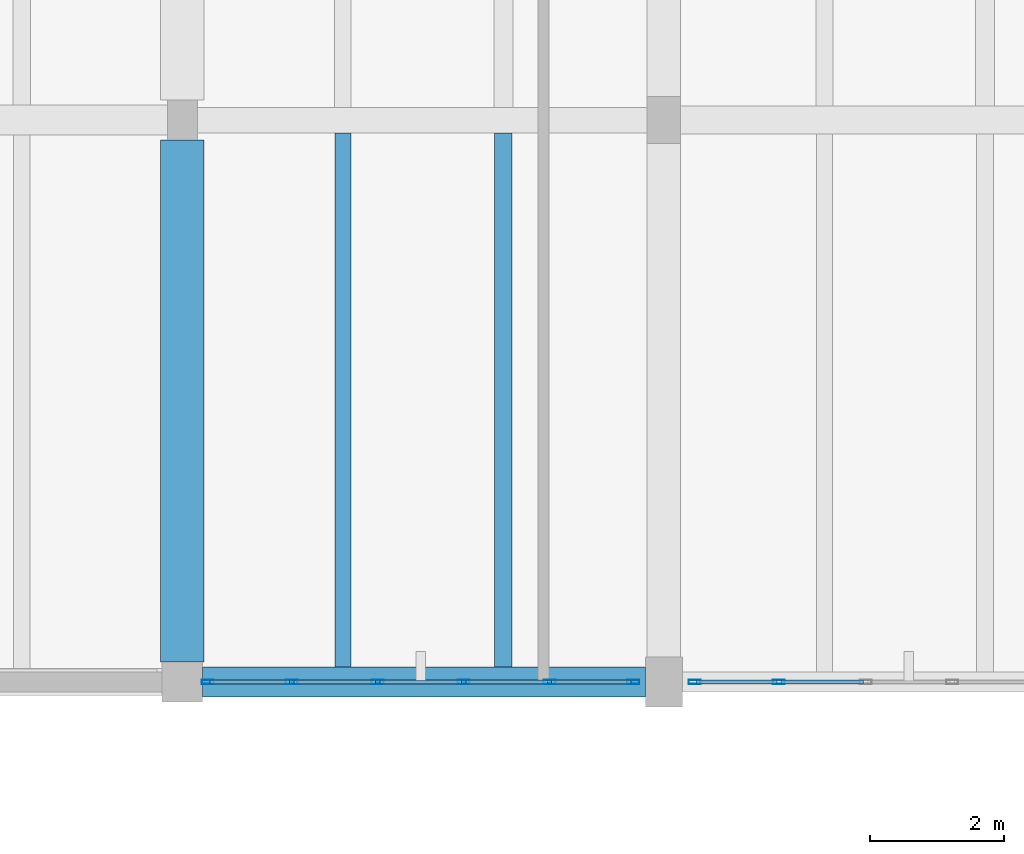
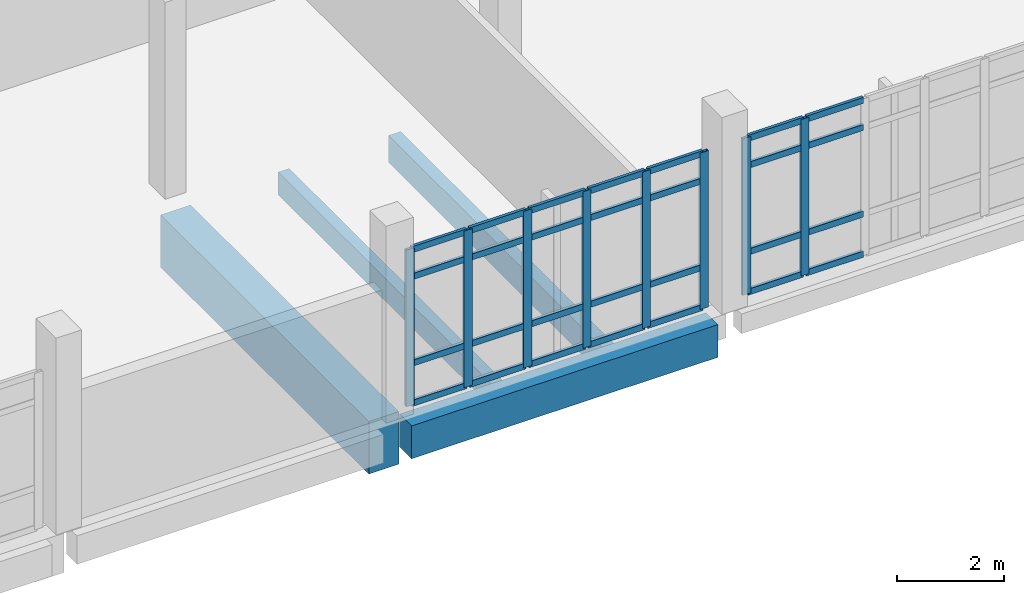
# One storey, part 18 of 41: 36 members, 4 beams, 2 elements without a shape of their own.
"""IFC4 building model written with IfcOpenShell, lengths in metres."""

from ifc_helpers import new_model, si_unit, direction, frame, origin, origin_2d, place, context, subcontext, project, spatial, rectangle, hollow_rectangle, extrude, material, material_profile, profile_set, type_object, element, aggregate, save


model = new_model("IFC4")

# Units and contexts
model_context = context("Model", 3, precision=1e-05, world=origin(), true_north=direction((0.0, 1.0)))
body_context = subcontext(model_context, "Body", "Model", "MODEL_VIEW")
ifc_project = project(units=[si_unit("LENGTHUNIT", "METRE"), si_unit("AREAUNIT", "SQUARE_METRE"), si_unit("VOLUMEUNIT", "CUBIC_METRE"), si_unit("PLANEANGLEUNIT", "RADIAN"), si_unit("MASSUNIT", "GRAM", prefix="KILO")], contexts=[model_context])

# Site, building, storey
site_placement = place(None, origin())
site = spatial("IfcSite", under=ifc_project, at=site_placement, CompositionType="ELEMENT")
building_placement = place(site_placement, origin())
building = spatial("IfcBuilding", under=site, at=building_placement, Name="Kalluvel Institute of Natural Sciences", CompositionType="ELEMENT")
storey_placement = place(building_placement, frame((0.0, 0.0, 32.39990234375)))
storey = spatial("IfcBuildingStorey", under=building, at=storey_placement, Name="L07", CompositionType="ELEMENT", Elevation=32.39990234375)

# Beams
ifc_material_1 = material(Name="Concrete M40", Category="concrete")
ifc_material_profile_1 = material_profile(ifc_material_1, rectangle(XDim=0.449951171875, YDim=0.75, at=origin_2d()), Name="RCB 450x750")
ifc_profile_set_1 = profile_set([ifc_material_profile_1], Name="Concrete M40")
beam_type_1 = type_object("IfcBeamType", Name="BM-RC450x750", PredefinedType="BEAM", material=ifc_profile_set_1)
beam_1_placement = place(storey_placement, frame((79.10009765625, 102.800048828125, -0.69482421875), z_axis=(1.0, 0.0, 0.0), x_axis=(0.0, 1.0, 0.0)))
element("IfcBeam", 1, at=beam_1_placement, inside=storey, type_object=beam_type_1, Name="L07 girder GIR-L07-EW-X788-Y1028", PredefinedType="BEAM", context=body_context, shape_type="SweptSolid", body=[
    extrude(rectangle(XDim=0.449951171875, YDim=0.75, at=origin_2d()), origin(), (0.0, 0.0, 1.0), 6.625),
])
ifc_material_2 = material(Name="Concrete M50", Category="concrete")
ifc_material_profile_2 = material_profile(ifc_material_2, rectangle(XDim=0.64990234375, YDim=1.199951171875, at=origin_2d()), Name="RCB 650x1200")
ifc_profile_set_2 = profile_set([ifc_material_profile_2], Name="Concrete M50")
beam_type_2 = type_object("IfcBeamType", Name="BM-RC650x1200", PredefinedType="BEAM", material=ifc_profile_set_2)
beam_2_placement = place(storey_placement, frame((78.800048828125, 103.10009765625, -0.919921875), z_axis=(0.0, 1.0, 0.0), x_axis=(-1.0, 0.0, 0.0)))
element("IfcBeam", 2, at=beam_2_placement, inside=storey, type_object=beam_type_2, Name="L07 girder GIR-L07-NS-X788-Y1028", PredefinedType="BEAM", context=body_context, shape_type="SweptSolid", body=[
    extrude(rectangle(XDim=0.64990234375, YDim=1.199951171875, at=origin_2d()), origin(), (0.0, 0.0, 1.0), 7.7998046875),
])

# Curtain wall, members
ifc_material_3 = material(Name="Aluminium AW-6063 T6", Category="aluminium")
curtain_wall_type = type_object("IfcCurtainWallType", Name="CW-WET-45", PredefinedType="USERDEFINED", material=ifc_material_3)
curtain_wall_1_placement = place(storey_placement, origin())
curtain_wall_1 = element("IfcCurtainWall", 3, at=curtain_wall_1_placement, inside=storey, type_object=curtain_wall_type, Name="L07 Gothic lancet curtain wall CWA-L07-X792-Y1028", ObjectType="UNITISED LANCET FACADE", PredefinedType="USERDEFINED")
ifc_material_profile_3 = material_profile(ifc_material_3, hollow_rectangle(XDim=0.06494140625, YDim=0.179931640625, WallThickness=0.00439453125, at=origin_2d()), Name="CWM 65x180")
ifc_profile_set_3 = profile_set([ifc_material_profile_3], Name="Aluminium AW-6063 T6")
member_type_1 = type_object("IfcMemberType", Name="CWM-65x180", PredefinedType="MULLION", material=ifc_profile_set_3)
member_1_placement = place(storey_placement, frame((79.1826171875, 102.800048828125, 0.0), z_axis=(0.0, 0.0, 1.0), x_axis=(0.0, 1.0, 0.0)))
member_1 = element("IfcMember", 4, at=member_1_placement, type_object=member_type_1, Name="CW-01 mullion 1", PredefinedType="MULLION", context=body_context, shape_type="SweptSolid", body=[
    extrude(hollow_rectangle(XDim=0.06494140625, YDim=0.179931640625, WallThickness=0.00439453125, at=origin_2d()), origin(), (0.0, 0.0, 1.0), 3.580078125),
])
member_2_placement = place(storey_placement, frame((80.43505859375, 102.800048828125, 0.0), z_axis=(0.0, 0.0, 1.0), x_axis=(0.0, 1.0, 0.0)))
member_2 = element("IfcMember", 5, at=member_2_placement, type_object=member_type_1, Name="CW-01 mullion 2", PredefinedType="MULLION", context=body_context, shape_type="SweptSolid", body=[
    extrude(hollow_rectangle(XDim=0.06494140625, YDim=0.179931640625, WallThickness=0.00439453125, at=origin_2d()), origin(), (0.0, 0.0, 1.0), 3.580078125),
])
member_3_placement = place(storey_placement, frame((81.719970703125, 102.800048828125, 0.0), z_axis=(0.0, 0.0, 1.0), x_axis=(0.0, 1.0, 0.0)))
member_3 = element("IfcMember", 6, at=member_3_placement, type_object=member_type_1, Name="CW-01 mullion 3", PredefinedType="MULLION", context=body_context, shape_type="SweptSolid", body=[
    extrude(hollow_rectangle(XDim=0.06494140625, YDim=0.179931640625, WallThickness=0.00439453125, at=origin_2d()), origin(), (0.0, 0.0, 1.0), 3.580078125),
])
member_4_placement = place(storey_placement, frame((83.0048828125, 102.800048828125, 0.0), z_axis=(0.0, 0.0, 1.0), x_axis=(0.0, 1.0, 0.0)))
member_4 = element("IfcMember", 7, at=member_4_placement, type_object=member_type_1, Name="CW-01 mullion 4", PredefinedType="MULLION", context=body_context, shape_type="SweptSolid", body=[
    extrude(hollow_rectangle(XDim=0.06494140625, YDim=0.179931640625, WallThickness=0.00439453125, at=origin_2d()), origin(), (0.0, 0.0, 1.0), 3.580078125),
])
member_5_placement = place(storey_placement, frame((84.2900390625, 102.800048828125, 0.0), z_axis=(0.0, 0.0, 1.0), x_axis=(0.0, 1.0, 0.0)))
member_5 = element("IfcMember", 8, at=member_5_placement, type_object=member_type_1, Name="CW-01 mullion 5", PredefinedType="MULLION", context=body_context, shape_type="SweptSolid", body=[
    extrude(hollow_rectangle(XDim=0.06494140625, YDim=0.179931640625, WallThickness=0.00439453125, at=origin_2d()), origin(), (0.0, 0.0, 1.0), 3.580078125),
])
member_6_placement = place(storey_placement, frame((85.54248046875, 102.800048828125, 0.0), z_axis=(0.0, 0.0, 1.0), x_axis=(0.0, 1.0, 0.0)))
member_6 = element("IfcMember", 9, at=member_6_placement, type_object=member_type_1, Name="CW-01 mullion 6", PredefinedType="MULLION", context=body_context, shape_type="SweptSolid", body=[
    extrude(hollow_rectangle(XDim=0.06494140625, YDim=0.179931640625, WallThickness=0.00439453125, at=origin_2d()), origin(), (0.0, 0.0, 1.0), 3.580078125),
])

curtain_wall_2_placement = place(storey_placement, origin())
curtain_wall_2 = element("IfcCurtainWall", 10, at=curtain_wall_2_placement, inside=storey, type_object=curtain_wall_type, Name="L07 Gothic lancet curtain wall CWA-L07-X864-Y1028", ObjectType="UNITISED LANCET FACADE", PredefinedType="USERDEFINED")
member_7_placement = place(storey_placement, frame((86.45751953125, 102.800048828125, 0.0), z_axis=(0.0, 0.0, 1.0), x_axis=(0.0, 1.0, 0.0)))
member_7 = element("IfcMember", 11, at=member_7_placement, type_object=member_type_1, Name="CW-01 mullion 1", PredefinedType="MULLION", context=body_context, shape_type="SweptSolid", body=[
    extrude(hollow_rectangle(XDim=0.06494140625, YDim=0.179931640625, WallThickness=0.00439453125, at=origin_2d()), origin(), (0.0, 0.0, 1.0), 3.580078125),
])
member_8_placement = place(storey_placement, frame((87.719970703125, 102.800048828125, 0.0), z_axis=(0.0, 0.0, 1.0), x_axis=(0.0, 1.0, 0.0)))
member_8 = element("IfcMember", 12, at=member_8_placement, type_object=member_type_1, Name="CW-01 mullion 2", PredefinedType="MULLION", context=body_context, shape_type="SweptSolid", body=[
    extrude(hollow_rectangle(XDim=0.06494140625, YDim=0.179931640625, WallThickness=0.00439453125, at=origin_2d()), origin(), (0.0, 0.0, 1.0), 3.580078125),
])

# Member
ifc_material_profile_4 = material_profile(ifc_material_3, hollow_rectangle(XDim=0.06494140625, YDim=0.139892578125, WallThickness=0.00439453125, at=origin_2d()), Name="CWT 65x140")
ifc_profile_set_4 = profile_set([ifc_material_profile_4], Name="Aluminium AW-6063 T6")
member_type_2 = type_object("IfcMemberType", Name="CWT-65x140", PredefinedType="USERDEFINED", material=ifc_profile_set_4)
member_9_placement = place(storey_placement, frame((79.215087890625, 102.800048828125, 0.03271484375), z_axis=(1.0, 0.0, 0.0), x_axis=(0.0, 1.0, 0.0)))
member_9 = element("IfcMember", 13, at=member_9_placement, type_object=member_type_2, Name="CW-01 transom 1.1", ObjectType="TRANSOM", PredefinedType="USERDEFINED", context=body_context, shape_type="SweptSolid", body=[
    extrude(hollow_rectangle(XDim=0.06494140625, YDim=0.139892578125, WallThickness=0.00439453125, at=origin_2d()), origin(), (0.0, 0.0, 1.0), 1.1875),
])

member_10_placement = place(storey_placement, frame((79.215087890625, 102.800048828125, 0.9501953125), z_axis=(1.0, 0.0, 0.0), x_axis=(0.0, 1.0, 0.0)))
member_10 = element("IfcMember", 14, at=member_10_placement, type_object=member_type_2, Name="CW-01 transom 1.2", ObjectType="TRANSOM", PredefinedType="USERDEFINED", context=body_context, shape_type="SweptSolid", body=[
    extrude(hollow_rectangle(XDim=0.06494140625, YDim=0.139892578125, WallThickness=0.00439453125, at=origin_2d()), origin(), (0.0, 0.0, 1.0), 1.1875),
])

member_11_placement = place(storey_placement, frame((79.215087890625, 102.800048828125, 2.93017578125), z_axis=(1.0, 0.0, 0.0), x_axis=(0.0, 1.0, 0.0)))
member_11 = element("IfcMember", 15, at=member_11_placement, type_object=member_type_2, Name="CW-01 transom 1.3", ObjectType="TRANSOM", PredefinedType="USERDEFINED", context=body_context, shape_type="SweptSolid", body=[
    extrude(hollow_rectangle(XDim=0.06494140625, YDim=0.139892578125, WallThickness=0.00439453125, at=origin_2d()), origin(), (0.0, 0.0, 1.0), 1.1875),
])

member_12_placement = place(storey_placement, frame((79.215087890625, 102.800048828125, 3.547607421875), z_axis=(1.0, 0.0, 0.0), x_axis=(0.0, 1.0, 0.0)))
member_12 = element("IfcMember", 16, at=member_12_placement, type_object=member_type_2, Name="CW-01 transom 1.4", ObjectType="TRANSOM", PredefinedType="USERDEFINED", context=body_context, shape_type="SweptSolid", body=[
    extrude(hollow_rectangle(XDim=0.06494140625, YDim=0.139892578125, WallThickness=0.00439453125, at=origin_2d()), origin(), (0.0, 0.0, 1.0), 1.1875),
])

member_13_placement = place(storey_placement, frame((80.467529296875, 102.800048828125, 0.03271484375), z_axis=(1.0, 0.0, 0.0), x_axis=(0.0, 1.0, 0.0)))
member_13 = element("IfcMember", 17, at=member_13_placement, type_object=member_type_2, Name="CW-01 transom 2.1", ObjectType="TRANSOM", PredefinedType="USERDEFINED", context=body_context, shape_type="SweptSolid", body=[
    extrude(hollow_rectangle(XDim=0.06494140625, YDim=0.139892578125, WallThickness=0.00439453125, at=origin_2d()), origin(), (0.0, 0.0, 1.0), 1.219970703125),
])

member_14_placement = place(storey_placement, frame((80.467529296875, 102.800048828125, 0.9501953125), z_axis=(1.0, 0.0, 0.0), x_axis=(0.0, 1.0, 0.0)))
member_14 = element("IfcMember", 18, at=member_14_placement, type_object=member_type_2, Name="CW-01 transom 2.2", ObjectType="TRANSOM", PredefinedType="USERDEFINED", context=body_context, shape_type="SweptSolid", body=[
    extrude(hollow_rectangle(XDim=0.06494140625, YDim=0.139892578125, WallThickness=0.00439453125, at=origin_2d()), origin(), (0.0, 0.0, 1.0), 1.219970703125),
])

member_15_placement = place(storey_placement, frame((80.467529296875, 102.800048828125, 2.93017578125), z_axis=(1.0, 0.0, 0.0), x_axis=(0.0, 1.0, 0.0)))
member_15 = element("IfcMember", 19, at=member_15_placement, type_object=member_type_2, Name="CW-01 transom 2.3", ObjectType="TRANSOM", PredefinedType="USERDEFINED", context=body_context, shape_type="SweptSolid", body=[
    extrude(hollow_rectangle(XDim=0.06494140625, YDim=0.139892578125, WallThickness=0.00439453125, at=origin_2d()), origin(), (0.0, 0.0, 1.0), 1.219970703125),
])

member_16_placement = place(storey_placement, frame((80.467529296875, 102.800048828125, 3.547607421875), z_axis=(1.0, 0.0, 0.0), x_axis=(0.0, 1.0, 0.0)))
member_16 = element("IfcMember", 20, at=member_16_placement, type_object=member_type_2, Name="CW-01 transom 2.4", ObjectType="TRANSOM", PredefinedType="USERDEFINED", context=body_context, shape_type="SweptSolid", body=[
    extrude(hollow_rectangle(XDim=0.06494140625, YDim=0.139892578125, WallThickness=0.00439453125, at=origin_2d()), origin(), (0.0, 0.0, 1.0), 1.219970703125),
])

member_17_placement = place(storey_placement, frame((81.75244140625, 102.800048828125, 0.03271484375), z_axis=(1.0, 0.0, 0.0), x_axis=(0.0, 1.0, 0.0)))
member_17 = element("IfcMember", 21, at=member_17_placement, type_object=member_type_2, Name="CW-01 transom 3.1", ObjectType="TRANSOM", PredefinedType="USERDEFINED", context=body_context, shape_type="SweptSolid", body=[
    extrude(hollow_rectangle(XDim=0.06494140625, YDim=0.139892578125, WallThickness=0.00439453125, at=origin_2d()), origin(), (0.0, 0.0, 1.0), 1.219970703125),
])

member_18_placement = place(storey_placement, frame((81.75244140625, 102.800048828125, 0.9501953125), z_axis=(1.0, 0.0, 0.0), x_axis=(0.0, 1.0, 0.0)))
member_18 = element("IfcMember", 22, at=member_18_placement, type_object=member_type_2, Name="CW-01 transom 3.2", ObjectType="TRANSOM", PredefinedType="USERDEFINED", context=body_context, shape_type="SweptSolid", body=[
    extrude(hollow_rectangle(XDim=0.06494140625, YDim=0.139892578125, WallThickness=0.00439453125, at=origin_2d()), origin(), (0.0, 0.0, 1.0), 1.219970703125),
])

member_19_placement = place(storey_placement, frame((81.75244140625, 102.800048828125, 2.93017578125), z_axis=(1.0, 0.0, 0.0), x_axis=(0.0, 1.0, 0.0)))
member_19 = element("IfcMember", 23, at=member_19_placement, type_object=member_type_2, Name="CW-01 transom 3.3", ObjectType="TRANSOM", PredefinedType="USERDEFINED", context=body_context, shape_type="SweptSolid", body=[
    extrude(hollow_rectangle(XDim=0.06494140625, YDim=0.139892578125, WallThickness=0.00439453125, at=origin_2d()), origin(), (0.0, 0.0, 1.0), 1.219970703125),
])

member_20_placement = place(storey_placement, frame((81.75244140625, 102.800048828125, 3.547607421875), z_axis=(1.0, 0.0, 0.0), x_axis=(0.0, 1.0, 0.0)))
member_20 = element("IfcMember", 24, at=member_20_placement, type_object=member_type_2, Name="CW-01 transom 3.4", ObjectType="TRANSOM", PredefinedType="USERDEFINED", context=body_context, shape_type="SweptSolid", body=[
    extrude(hollow_rectangle(XDim=0.06494140625, YDim=0.139892578125, WallThickness=0.00439453125, at=origin_2d()), origin(), (0.0, 0.0, 1.0), 1.219970703125),
])

member_21_placement = place(storey_placement, frame((83.03759765625, 102.800048828125, 0.03271484375), z_axis=(1.0, 0.0, 0.0), x_axis=(0.0, 1.0, 0.0)))
member_21 = element("IfcMember", 25, at=member_21_placement, type_object=member_type_2, Name="CW-01 transom 4.1", ObjectType="TRANSOM", PredefinedType="USERDEFINED", context=body_context, shape_type="SweptSolid", body=[
    extrude(hollow_rectangle(XDim=0.06494140625, YDim=0.139892578125, WallThickness=0.00439453125, at=origin_2d()), origin(), (0.0, 0.0, 1.0), 1.219970703125),
])

member_22_placement = place(storey_placement, frame((83.03759765625, 102.800048828125, 0.9501953125), z_axis=(1.0, 0.0, 0.0), x_axis=(0.0, 1.0, 0.0)))
member_22 = element("IfcMember", 26, at=member_22_placement, type_object=member_type_2, Name="CW-01 transom 4.2", ObjectType="TRANSOM", PredefinedType="USERDEFINED", context=body_context, shape_type="SweptSolid", body=[
    extrude(hollow_rectangle(XDim=0.06494140625, YDim=0.139892578125, WallThickness=0.00439453125, at=origin_2d()), origin(), (0.0, 0.0, 1.0), 1.219970703125),
])

member_23_placement = place(storey_placement, frame((83.03759765625, 102.800048828125, 2.93017578125), z_axis=(1.0, 0.0, 0.0), x_axis=(0.0, 1.0, 0.0)))
member_23 = element("IfcMember", 27, at=member_23_placement, type_object=member_type_2, Name="CW-01 transom 4.3", ObjectType="TRANSOM", PredefinedType="USERDEFINED", context=body_context, shape_type="SweptSolid", body=[
    extrude(hollow_rectangle(XDim=0.06494140625, YDim=0.139892578125, WallThickness=0.00439453125, at=origin_2d()), origin(), (0.0, 0.0, 1.0), 1.219970703125),
])

member_24_placement = place(storey_placement, frame((83.03759765625, 102.800048828125, 3.547607421875), z_axis=(1.0, 0.0, 0.0), x_axis=(0.0, 1.0, 0.0)))
member_24 = element("IfcMember", 28, at=member_24_placement, type_object=member_type_2, Name="CW-01 transom 4.4", ObjectType="TRANSOM", PredefinedType="USERDEFINED", context=body_context, shape_type="SweptSolid", body=[
    extrude(hollow_rectangle(XDim=0.06494140625, YDim=0.139892578125, WallThickness=0.00439453125, at=origin_2d()), origin(), (0.0, 0.0, 1.0), 1.219970703125),
])

member_25_placement = place(storey_placement, frame((84.322509765625, 102.800048828125, 0.03271484375), z_axis=(1.0, 0.0, 0.0), x_axis=(0.0, 1.0, 0.0)))
member_25 = element("IfcMember", 29, at=member_25_placement, type_object=member_type_2, Name="CW-01 transom 5.1", ObjectType="TRANSOM", PredefinedType="USERDEFINED", context=body_context, shape_type="SweptSolid", body=[
    extrude(hollow_rectangle(XDim=0.06494140625, YDim=0.139892578125, WallThickness=0.00439453125, at=origin_2d()), origin(), (0.0, 0.0, 1.0), 1.1875),
])

member_26_placement = place(storey_placement, frame((84.322509765625, 102.800048828125, 0.9501953125), z_axis=(1.0, 0.0, 0.0), x_axis=(0.0, 1.0, 0.0)))
member_26 = element("IfcMember", 30, at=member_26_placement, type_object=member_type_2, Name="CW-01 transom 5.2", ObjectType="TRANSOM", PredefinedType="USERDEFINED", context=body_context, shape_type="SweptSolid", body=[
    extrude(hollow_rectangle(XDim=0.06494140625, YDim=0.139892578125, WallThickness=0.00439453125, at=origin_2d()), origin(), (0.0, 0.0, 1.0), 1.1875),
])

member_27_placement = place(storey_placement, frame((84.322509765625, 102.800048828125, 2.93017578125), z_axis=(1.0, 0.0, 0.0), x_axis=(0.0, 1.0, 0.0)))
member_27 = element("IfcMember", 31, at=member_27_placement, type_object=member_type_2, Name="CW-01 transom 5.3", ObjectType="TRANSOM", PredefinedType="USERDEFINED", context=body_context, shape_type="SweptSolid", body=[
    extrude(hollow_rectangle(XDim=0.06494140625, YDim=0.139892578125, WallThickness=0.00439453125, at=origin_2d()), origin(), (0.0, 0.0, 1.0), 1.1875),
])

member_28_placement = place(storey_placement, frame((84.322509765625, 102.800048828125, 3.547607421875), z_axis=(1.0, 0.0, 0.0), x_axis=(0.0, 1.0, 0.0)))
member_28 = element("IfcMember", 32, at=member_28_placement, type_object=member_type_2, Name="CW-01 transom 5.4", ObjectType="TRANSOM", PredefinedType="USERDEFINED", context=body_context, shape_type="SweptSolid", body=[
    extrude(hollow_rectangle(XDim=0.06494140625, YDim=0.139892578125, WallThickness=0.00439453125, at=origin_2d()), origin(), (0.0, 0.0, 1.0), 1.1875),
])

aggregate(curtain_wall_1, [member_1, member_2, member_3, member_4, member_5, member_6, member_9, member_10, member_11, member_12, member_13, member_14, member_15, member_16, member_17, member_18, member_19, member_20, member_21, member_22, member_23, member_24, member_25, member_26, member_27, member_28])

member_29_placement = place(storey_placement, frame((86.489990234375, 102.800048828125, 0.03271484375), z_axis=(1.0, 0.0, 0.0), x_axis=(0.0, 1.0, 0.0)))
member_29 = element("IfcMember", 33, at=member_29_placement, type_object=member_type_2, Name="CW-01 transom 1.1", ObjectType="TRANSOM", PredefinedType="USERDEFINED", context=body_context, shape_type="SweptSolid", body=[
    extrude(hollow_rectangle(XDim=0.06494140625, YDim=0.139892578125, WallThickness=0.00439453125, at=origin_2d()), origin(), (0.0, 0.0, 1.0), 1.197509765625),
])

member_30_placement = place(storey_placement, frame((86.489990234375, 102.800048828125, 0.9501953125), z_axis=(1.0, 0.0, 0.0), x_axis=(0.0, 1.0, 0.0)))
member_30 = element("IfcMember", 34, at=member_30_placement, type_object=member_type_2, Name="CW-01 transom 1.2", ObjectType="TRANSOM", PredefinedType="USERDEFINED", context=body_context, shape_type="SweptSolid", body=[
    extrude(hollow_rectangle(XDim=0.06494140625, YDim=0.139892578125, WallThickness=0.00439453125, at=origin_2d()), origin(), (0.0, 0.0, 1.0), 1.197509765625),
])

member_31_placement = place(storey_placement, frame((86.489990234375, 102.800048828125, 2.93017578125), z_axis=(1.0, 0.0, 0.0), x_axis=(0.0, 1.0, 0.0)))
member_31 = element("IfcMember", 35, at=member_31_placement, type_object=member_type_2, Name="CW-01 transom 1.3", ObjectType="TRANSOM", PredefinedType="USERDEFINED", context=body_context, shape_type="SweptSolid", body=[
    extrude(hollow_rectangle(XDim=0.06494140625, YDim=0.139892578125, WallThickness=0.00439453125, at=origin_2d()), origin(), (0.0, 0.0, 1.0), 1.197509765625),
])

member_32_placement = place(storey_placement, frame((86.489990234375, 102.800048828125, 3.547607421875), z_axis=(1.0, 0.0, 0.0), x_axis=(0.0, 1.0, 0.0)))
member_32 = element("IfcMember", 36, at=member_32_placement, type_object=member_type_2, Name="CW-01 transom 1.4", ObjectType="TRANSOM", PredefinedType="USERDEFINED", context=body_context, shape_type="SweptSolid", body=[
    extrude(hollow_rectangle(XDim=0.06494140625, YDim=0.139892578125, WallThickness=0.00439453125, at=origin_2d()), origin(), (0.0, 0.0, 1.0), 1.197509765625),
])

member_33_placement = place(storey_placement, frame((87.75244140625, 102.800048828125, 0.03271484375), z_axis=(1.0, 0.0, 0.0), x_axis=(0.0, 1.0, 0.0)))
member_33 = element("IfcMember", 37, at=member_33_placement, type_object=member_type_2, Name="CW-01 transom 2.1", ObjectType="TRANSOM", PredefinedType="USERDEFINED", context=body_context, shape_type="SweptSolid", body=[
    extrude(hollow_rectangle(XDim=0.06494140625, YDim=0.139892578125, WallThickness=0.00439453125, at=origin_2d()), origin(), (0.0, 0.0, 1.0), 1.22998046875),
])

member_34_placement = place(storey_placement, frame((87.75244140625, 102.800048828125, 0.9501953125), z_axis=(1.0, 0.0, 0.0), x_axis=(0.0, 1.0, 0.0)))
member_34 = element("IfcMember", 38, at=member_34_placement, type_object=member_type_2, Name="CW-01 transom 2.2", ObjectType="TRANSOM", PredefinedType="USERDEFINED", context=body_context, shape_type="SweptSolid", body=[
    extrude(hollow_rectangle(XDim=0.06494140625, YDim=0.139892578125, WallThickness=0.00439453125, at=origin_2d()), origin(), (0.0, 0.0, 1.0), 1.22998046875),
])

member_35_placement = place(storey_placement, frame((87.75244140625, 102.800048828125, 2.93017578125), z_axis=(1.0, 0.0, 0.0), x_axis=(0.0, 1.0, 0.0)))
member_35 = element("IfcMember", 39, at=member_35_placement, type_object=member_type_2, Name="CW-01 transom 2.3", ObjectType="TRANSOM", PredefinedType="USERDEFINED", context=body_context, shape_type="SweptSolid", body=[
    extrude(hollow_rectangle(XDim=0.06494140625, YDim=0.139892578125, WallThickness=0.00439453125, at=origin_2d()), origin(), (0.0, 0.0, 1.0), 1.22998046875),
])

member_36_placement = place(storey_placement, frame((87.75244140625, 102.800048828125, 3.547607421875), z_axis=(1.0, 0.0, 0.0), x_axis=(0.0, 1.0, 0.0)))
member_36 = element("IfcMember", 40, at=member_36_placement, type_object=member_type_2, Name="CW-01 transom 2.4", ObjectType="TRANSOM", PredefinedType="USERDEFINED", context=body_context, shape_type="SweptSolid", body=[
    extrude(hollow_rectangle(XDim=0.06494140625, YDim=0.139892578125, WallThickness=0.00439453125, at=origin_2d()), origin(), (0.0, 0.0, 1.0), 1.22998046875),
])

aggregate(curtain_wall_2, [member_7, member_8, member_29, member_30, member_31, member_32, member_33, member_34, member_35, member_36])

# Beams
ifc_material_profile_5 = material_profile(ifc_material_1, rectangle(XDim=0.239990234375, YDim=0.52001953125, at=origin_2d()), Name="WAF 240x520")
ifc_profile_set_5 = profile_set([ifc_material_profile_5], Name="Concrete M40")
beam_type_3 = type_object("IfcBeamType", Name="WJ-240x520", PredefinedType="JOIST", material=ifc_profile_set_5)
beam_3_placement = place(storey_placement, frame((81.199951171875, 103.02490234375, -0.579833984375), z_axis=(0.0, 1.0, 0.0), x_axis=(-1.0, 0.0, 0.0)))
element("IfcBeam", 41, at=beam_3_placement, inside=storey, type_object=beam_type_3, Name="L07 waffle joist RIB-L07-0557", PredefinedType="JOIST", context=body_context, shape_type="SweptSolid", body=[
    extrude(rectangle(XDim=0.239990234375, YDim=0.52001953125, at=origin_2d()), origin(), (0.0, 0.0, 1.0), 7.985107421875),
])
ifc_material_profile_6 = material_profile(ifc_material_2, rectangle(XDim=0.260009765625, YDim=0.6201171875, at=origin_2d()), Name="WAF 260x620")
ifc_profile_set_6 = profile_set([ifc_material_profile_6], Name="Concrete M50")
beam_type_4 = type_object("IfcBeamType", Name="WJ-260x620", PredefinedType="JOIST", material=ifc_profile_set_6)
beam_4_placement = place(storey_placement, frame((83.60009765625, 103.02490234375, -0.6298828125), z_axis=(0.0, 1.0, 0.0), x_axis=(-1.0, 0.0, 0.0)))
element("IfcBeam", 42, at=beam_4_placement, inside=storey, type_object=beam_type_4, Name="L07 waffle joist RIB-L07-0558", PredefinedType="JOIST", context=body_context, shape_type="SweptSolid", body=[
    extrude(rectangle(XDim=0.260009765625, YDim=0.6201171875, at=origin_2d()), origin(), (0.0, 0.0, 1.0), 7.985107421875),
])

save(model, "model.ifc")
